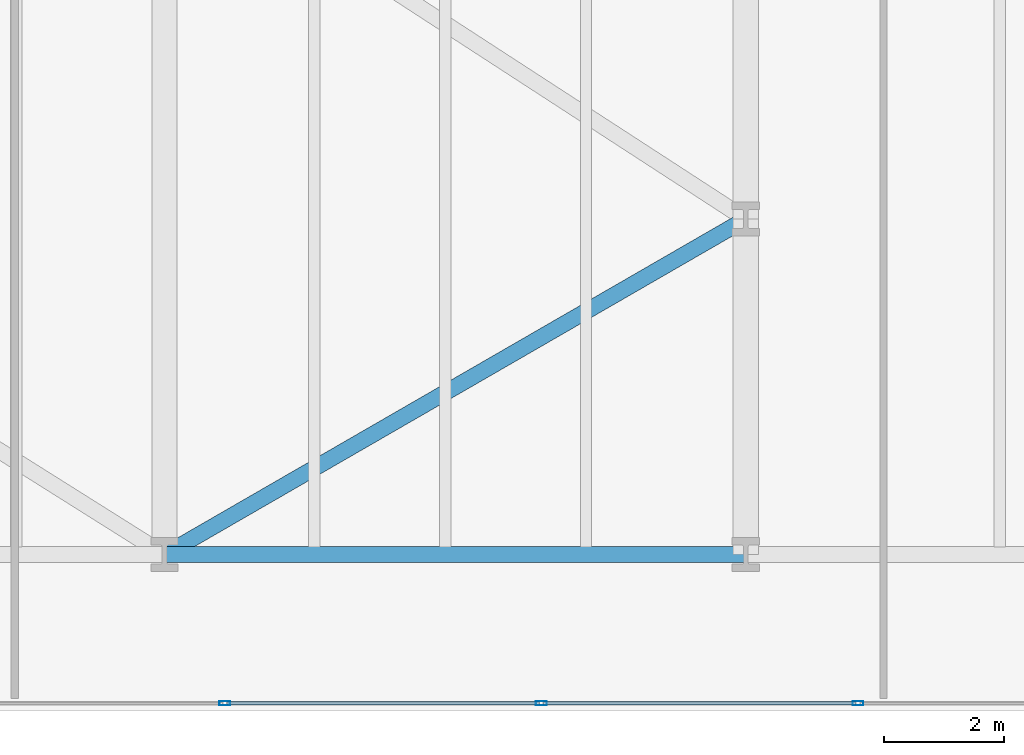
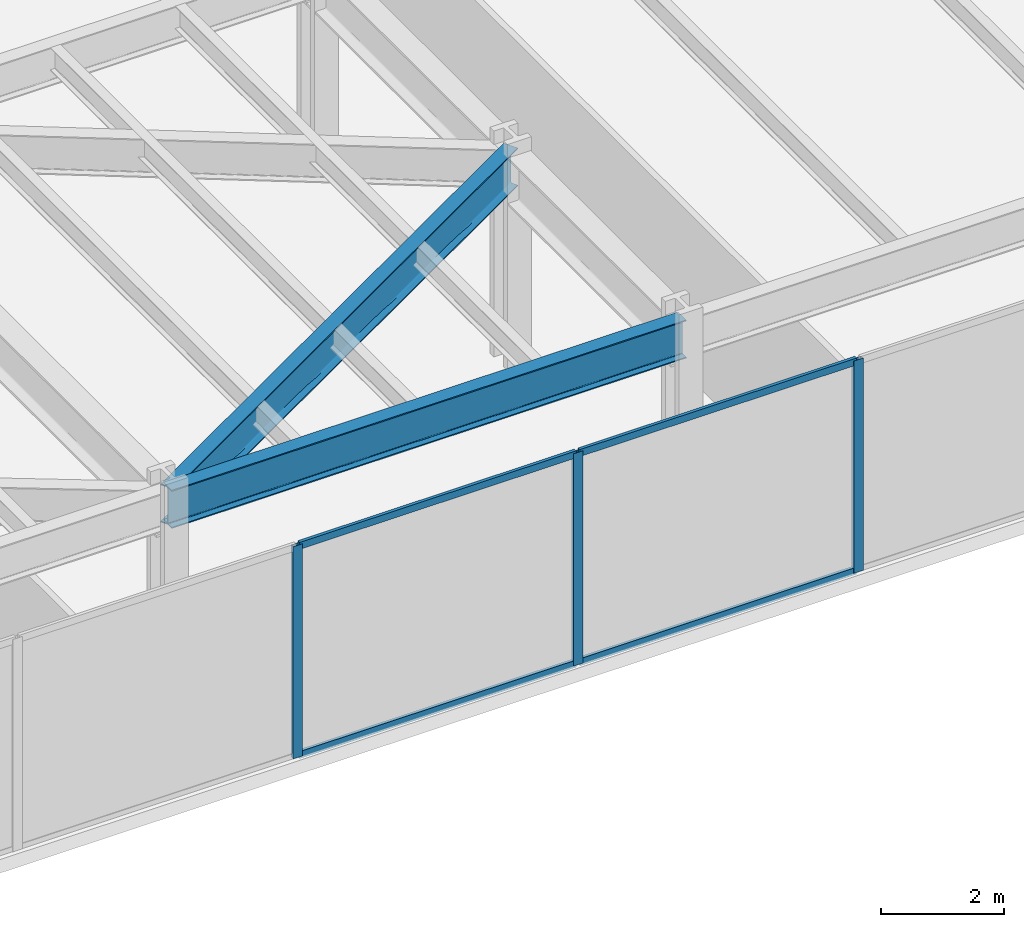
# One storey, part 6 of 28: 7 members, 2 beams, 1 element without a shape of its own.
"""IFC4 building model written with IfcOpenShell, lengths in metres."""

from ifc_helpers import new_model, si_unit, direction, frame, origin, origin_2d, place, context, subcontext, project, spatial, hollow_rectangle, i_section, extrude, material, layer, layer_set, material_profile, profile_set, type_object, element, aggregate, save


model = new_model("IFC4")

# Units and contexts
model_context = context("Model", 3, precision=1e-05, world=origin(), true_north=direction((0.0, 1.0)))
body_context = subcontext(model_context, "Body", "Model", "MODEL_VIEW")
ifc_project = project(units=[si_unit("LENGTHUNIT", "METRE"), si_unit("AREAUNIT", "SQUARE_METRE"), si_unit("VOLUMEUNIT", "CUBIC_METRE"), si_unit("PLANEANGLEUNIT", "RADIAN"), si_unit("MASSUNIT", "GRAM", prefix="KILO")], contexts=[model_context])

# Site, building, storey
site_placement = place(None, origin())
site = spatial("IfcSite", under=ifc_project, at=site_placement, CompositionType="ELEMENT")
building_placement = place(site_placement, origin())
building = spatial("IfcBuilding", under=site, at=building_placement, Name="Kravanh Interchange Tower", CompositionType="ELEMENT")
storey_placement = place(building_placement, frame((0.0, 0.0, 10.800048828125)))
storey = spatial("IfcBuildingStorey", under=building, at=storey_placement, Name="L02", CompositionType="ELEMENT", Elevation=10.800048828125)

# Curtain wall, members
ifc_material_1 = material(Name="Anodised Bronze Aluminium", Category="aluminium")
ifc_layer = layer(ifc_material_1, 0.179931640625)
ifc_layer_set = layer_set([ifc_layer], Name="Unitised Curtain Wall System CW-POD Podium Concourse")
curtain_wall_type = type_object("IfcCurtainWallType", Name="Unitised Curtain Wall System CW-POD Podium Concourse", PredefinedType="NOTDEFINED", material=ifc_layer_set)
curtain_wall_placement = place(storey_placement, origin())
curtain_wall = element("IfcCurtainWall", 1, at=curtain_wall_placement, inside=storey, type_object=curtain_wall_type, Name="L02 Unitised Curtain Wall CW-L02-04", PredefinedType="NOTDEFINED")
ifc_material_2 = material(Name="Anodised Bronze Aluminium", Category="aluminium")
ifc_material_profile_1 = material_profile(ifc_material_2, hollow_rectangle(XDim=0.070068359375, YDim=0.179931640625, WallThickness=0.00390625, at=origin_2d()), Name="ALU70X180X4")
ifc_profile_set_1 = profile_set([ifc_material_profile_1], Name="Anodised Bronze Aluminium")
member_type_1 = type_object("IfcMemberType", Name="Curtain Wall Mullion ALU70X180X4 Bronze", PredefinedType="MULLION", material=ifc_profile_set_1)
member_1_placement = place(storey_placement, frame((29.072998046875, 0.1201171875, 0.0), z_axis=(0.0, 0.0, 1.0), x_axis=(0.0, -1.0, 0.0)))
member_1 = element("IfcMember", 2, at=member_1_placement, type_object=member_type_1, Name="CW-POD mullion 9", PredefinedType="MULLION", context=body_context, shape_type="SweptSolid", body=[
    extrude(hollow_rectangle(XDim=0.070068359375, YDim=0.179931640625, WallThickness=0.00390625, at=origin_2d()), origin(), (0.0, 0.0, 1.0), 4.22998046875),
])
member_2_placement = place(storey_placement, frame((23.788330078125, 0.1201171875, 0.0), z_axis=(0.0, 0.0, 1.0), x_axis=(0.0, -1.0, 0.0)))
member_2 = element("IfcMember", 3, at=member_2_placement, type_object=member_type_1, Name="CW-POD mullion 10", PredefinedType="MULLION", context=body_context, shape_type="SweptSolid", body=[
    extrude(hollow_rectangle(XDim=0.070068359375, YDim=0.179931640625, WallThickness=0.00390625, at=origin_2d()), origin(), (0.0, 0.0, 1.0), 4.22998046875),
])
member_3_placement = place(storey_placement, frame((18.503662109375, 0.1201171875, 0.0), z_axis=(0.0, 0.0, 1.0), x_axis=(0.0, -1.0, 0.0)))
member_3 = element("IfcMember", 4, at=member_3_placement, type_object=member_type_1, Name="CW-POD mullion 11", PredefinedType="MULLION", context=body_context, shape_type="SweptSolid", body=[
    extrude(hollow_rectangle(XDim=0.070068359375, YDim=0.179931640625, WallThickness=0.00390625, at=origin_2d()), origin(), (0.0, 0.0, 1.0), 4.22998046875),
])
ifc_material_3 = material(Name="Anodised Bronze Aluminium", Category="aluminium")
ifc_material_profile_2 = material_profile(ifc_material_3, hollow_rectangle(XDim=0.06005859375, YDim=0.139892578125, WallThickness=0.00390625, at=origin_2d()), Name="ALU60X140X4")
ifc_profile_set_2 = profile_set([ifc_material_profile_2], Name="Anodised Bronze Aluminium")
member_type_2 = type_object("IfcMemberType", Name="Curtain Wall Transom ALU60X140X4 Bronze", PredefinedType="USERDEFINED", material=ifc_profile_set_2)
member_4_placement = place(storey_placement, frame((29.0380859375, 0.1201171875, 0.030029296875), z_axis=(-1.0, 0.0, 0.0), x_axis=(0.0, -1.0, 0.0)))
member_4 = element("IfcMember", 5, at=member_4_placement, type_object=member_type_2, Name="CW-POD transom 9.1", ObjectType="TRANSOM", PredefinedType="USERDEFINED", context=body_context, shape_type="SweptSolid", body=[
    extrude(hollow_rectangle(XDim=0.06005859375, YDim=0.139892578125, WallThickness=0.00390625, at=origin_2d()), origin(), (0.0, 0.0, 1.0), 5.21484375),
])
member_5_placement = place(storey_placement, frame((29.0380859375, 0.1201171875, 4.199951171875), z_axis=(-1.0, 0.0, 0.0), x_axis=(0.0, -1.0, 0.0)))
member_5 = element("IfcMember", 6, at=member_5_placement, type_object=member_type_2, Name="CW-POD transom 9.2", ObjectType="TRANSOM", PredefinedType="USERDEFINED", context=body_context, shape_type="SweptSolid", body=[
    extrude(hollow_rectangle(XDim=0.06005859375, YDim=0.139892578125, WallThickness=0.00390625, at=origin_2d()), origin(), (0.0, 0.0, 1.0), 5.21484375),
])
member_6_placement = place(storey_placement, frame((23.75341796875, 0.1201171875, 0.030029296875), z_axis=(-1.0, 0.0, 0.0), x_axis=(0.0, -1.0, 0.0)))
member_6 = element("IfcMember", 7, at=member_6_placement, type_object=member_type_2, Name="CW-POD transom 10.1", ObjectType="TRANSOM", PredefinedType="USERDEFINED", context=body_context, shape_type="SweptSolid", body=[
    extrude(hollow_rectangle(XDim=0.06005859375, YDim=0.139892578125, WallThickness=0.00390625, at=origin_2d()), origin(), (0.0, 0.0, 1.0), 5.21484375),
])
member_7_placement = place(storey_placement, frame((23.75341796875, 0.1201171875, 4.199951171875), z_axis=(-1.0, 0.0, 0.0), x_axis=(0.0, -1.0, 0.0)))
member_7 = element("IfcMember", 8, at=member_7_placement, type_object=member_type_2, Name="CW-POD transom 10.2", ObjectType="TRANSOM", PredefinedType="USERDEFINED", context=body_context, shape_type="SweptSolid", body=[
    extrude(hollow_rectangle(XDim=0.06005859375, YDim=0.139892578125, WallThickness=0.00390625, at=origin_2d()), origin(), (0.0, 0.0, 1.0), 5.21484375),
])
aggregate(curtain_wall, [member_1, member_2, member_3, member_4, member_5, member_6, member_7])

# Beams
ifc_material_4 = material(Name="Structural Steel S355", Category="steel")
ifc_material_profile_3 = material_profile(ifc_material_4, i_section(OverallWidth=0.26708984375, OverallDepth=0.761962890625, WebThickness=0.014404296875, FlangeThickness=0.021484375, FilletRadius=0.02490234375, at=origin_2d()), Name="W30X116")
ifc_profile_set_3 = profile_set([ifc_material_profile_3], Name="Structural Steel S355")
beam_type = type_object("IfcBeamType", Name="Floor Spandrel W30X116 Structural Steel S355", PredefinedType="SPANDREL", material=ifc_profile_set_3)
beam_1_placement = place(storey_placement, frame((17.5, 2.60009765625, 3.848876953125), z_axis=(1.0, 0.0, 0.0), x_axis=(0.0, 1.0, 0.0)))
element("IfcBeam", 9, at=beam_1_placement, inside=storey, type_object=beam_type, Name="L02 Perimeter Spandrel 4", PredefinedType="SPANDREL", context=body_context, shape_type="SweptSolid", body=[
    extrude(i_section(OverallWidth=0.26708984375, OverallDepth=0.761962890625, WebThickness=0.014404296875, FlangeThickness=0.021484375, FilletRadius=0.02490234375, at=origin_2d()), origin(), (0.0, 0.0, 1.0), 9.699951171875),
])
beam_2_placement = place(storey_placement, frame((17.5, 2.60009765625, 3.848876953125), z_axis=(0.866041482502, 0.499972149811, 0.0), x_axis=(-0.499972149811, 0.866041482502, 0.0)))
element("IfcBeam", 10, at=beam_2_placement, inside=storey, type_object=beam_type, Name="L02 Perimeter Spandrel 6", PredefinedType="SPANDREL", context=body_context, shape_type="SweptSolid", body=[
    extrude(i_section(OverallWidth=0.26708984375, OverallDepth=0.761962890625, WebThickness=0.014404296875, FlangeThickness=0.021484375, FilletRadius=0.02490234375, at=origin_2d()), origin(), (0.0, 0.0, 1.0), 11.200439453125),
])

save(model, "model.ifc")
